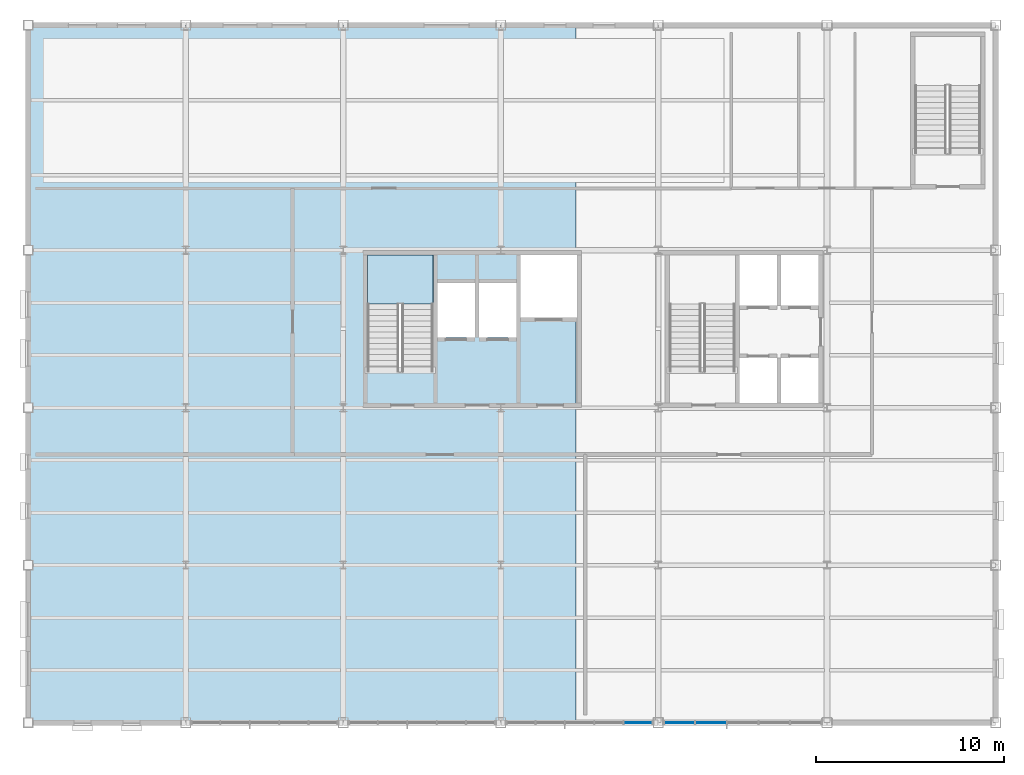
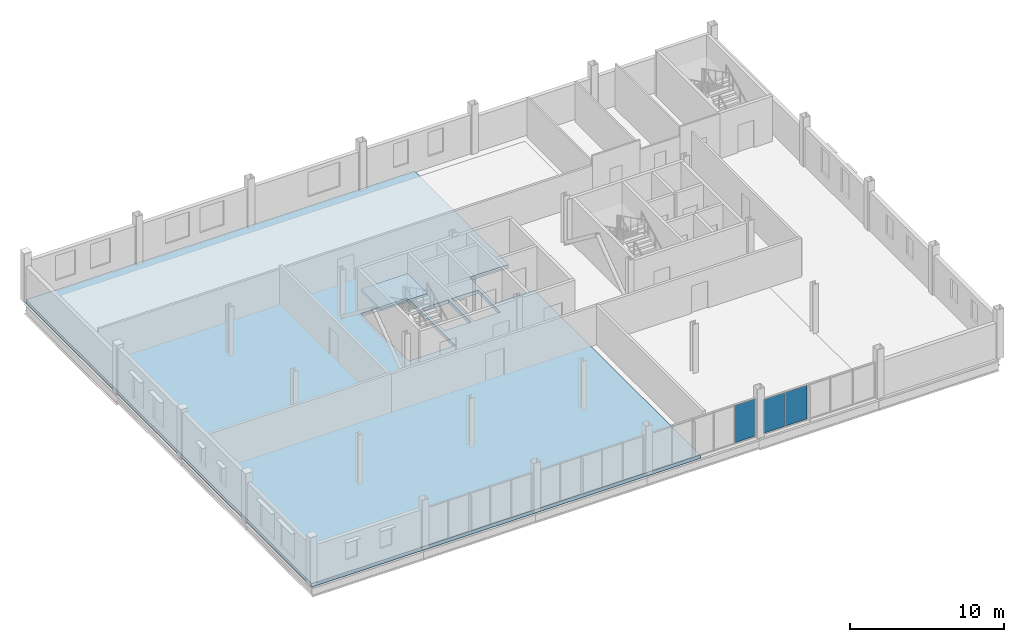
# One storey, part 10 of 17: 3 plates, 2 slabs, 3 elements without a shape of their own.
"""IFC4 building model written with IfcOpenShell, lengths in metres."""

from ifc_helpers import new_model, si_unit, direction, frame, origin, origin_2d, place, context, subcontext, project, spatial, polyline, rectangle, outline, extrude, material, layer, layer_set, type_object, element, aggregate, save


model = new_model("IFC4")

# Units and contexts
model_context = context("Model", 3, precision=1e-05, world=origin(), true_north=direction((0.0, 1.0)))
body_context = subcontext(model_context, "Body", "Model", "MODEL_VIEW")
ifc_project = project(units=[si_unit("LENGTHUNIT", "METRE"), si_unit("AREAUNIT", "SQUARE_METRE"), si_unit("VOLUMEUNIT", "CUBIC_METRE"), si_unit("PLANEANGLEUNIT", "RADIAN"), si_unit("MASSUNIT", "GRAM", prefix="KILO")], contexts=[model_context])

# Site, building, storey
site_placement = place(None, origin())
site = spatial("IfcSite", under=ifc_project, at=site_placement, CompositionType="ELEMENT")
building_placement = place(site_placement, origin())
building = spatial("IfcBuilding", under=site, at=building_placement, Name="Yukiwa Park Conservatory and Herbarium", CompositionType="ELEMENT")
storey_placement = place(building_placement, frame((0.0, 0.0, 17.10009765625)))
storey = spatial("IfcBuildingStorey", under=building, at=storey_placement, Name="L04", CompositionType="ELEMENT", Elevation=17.10009765625)

# Curtain wall, plate
ifc_material_1 = material(Name="Triple Low-E Insulated Glass", Category="glass")
ifc_layer_1 = layer(ifc_material_1, 0.199951171875)
ifc_layer_set_1 = layer_set([ifc_layer_1], Name="Triple Low-E Insulated Glass")
curtain_wall_type = type_object("IfcCurtainWallType", Name="CW-VISITOR-1600", PredefinedType="NOTDEFINED", material=ifc_layer_set_1)
curtain_wall_1_placement = place(storey_placement, origin())
curtain_wall_1 = element("IfcCurtainWall", 1, at=curtain_wall_1_placement, inside=storey, type_object=curtain_wall_type, Name="L04 unitised curtain wall CW-L04-074", PredefinedType="NOTDEFINED")
ifc_material_2 = material(Name="Triple Low-E Insulated Glass", Category="glass")
ifc_layer_2 = layer(ifc_material_2, 0.035888671875)
ifc_layer_set_2 = layer_set([ifc_layer_2], Name="Triple Low-E Insulated Glass")
plate_type = type_object("IfcPlateType", Name="PL-CW-GLZ-36", PredefinedType="CURTAIN_PANEL", material=ifc_layer_set_2)
plate_1_placement = place(storey_placement, frame((148.93994140625, 78.0, 0.06982421875), z_axis=(0.0, 0.0, 1.0), x_axis=(1.0, 0.0, 0.0)))
plate_1 = element("IfcPlate", 2, at=plate_1_placement, type_object=plate_type, Name="CW-L04-074 vision panel 5.1", PredefinedType="CURTAIN_PANEL", context=body_context, shape_type="SweptSolid", body=[
    extrude(rectangle(XDim=1.5, YDim=0.035888671875, at=origin_2d()), origin(), (0.0, 0.0, 1.0), 2.9599609375),
])
aggregate(curtain_wall_1, [plate_1])

# Curtain wall, plates
curtain_wall_2_placement = place(storey_placement, origin())
curtain_wall_2 = element("IfcCurtainWall", 3, at=curtain_wall_2_placement, inside=storey, type_object=curtain_wall_type, Name="L04 unitised curtain wall CW-L04-075", PredefinedType="NOTDEFINED")
plate_2_placement = place(storey_placement, frame((151.1201171875, 78.0, 0.06982421875), z_axis=(0.0, 0.0, 1.0), x_axis=(1.0, 0.0, 0.0)))
plate_2 = element("IfcPlate", 4, at=plate_2_placement, type_object=plate_type, Name="CW-L04-075 vision panel 1.1", PredefinedType="CURTAIN_PANEL", context=body_context, shape_type="SweptSolid", body=[
    extrude(rectangle(XDim=1.6201171875, YDim=0.035888671875, at=origin_2d()), origin(), (0.0, 0.0, 1.0), 2.66796875),
])
plate_3_placement = place(storey_placement, frame((152.81005859375, 78.0, 0.06982421875), z_axis=(0.0, 0.0, 1.0), x_axis=(1.0, 0.0, 0.0)))
plate_3 = element("IfcPlate", 5, at=plate_3_placement, type_object=plate_type, Name="CW-L04-075 vision panel 2.1", PredefinedType="CURTAIN_PANEL", context=body_context, shape_type="SweptSolid", body=[
    extrude(rectangle(XDim=1.6201171875, YDim=0.035888671875, at=origin_2d()), origin(), (0.0, 0.0, 1.0), 2.66796875),
])
aggregate(curtain_wall_2, [plate_2, plate_3])

# Slab
ifc_material_3 = material(Name="Concrete C40", Category="concrete")
ifc_layer_3 = layer(ifc_material_3, 0.280029296875)
ifc_layer_set_3 = layer_set([ifc_layer_3], Name="Concrete C40")
slab_type_1 = type_object("IfcSlabType", Name="SL-FLR-280", PredefinedType="FLOOR", material=ifc_layer_set_3)
slab_1_placement = place(storey_placement, frame((0.0, 0.0, -0.280029296875)))
element("IfcSlab", 6, at=slab_1_placement, inside=storey, type_object=slab_type_1, Name="L04 composite structural floor slab V5W", PredefinedType="FLOOR", context=body_context, shape_type="SweptSolid", body=[
    extrude(outline(polyline([(116.39990234375, 115.199951171875), (145.60009765625, 115.199951171875), (145.60009765625, 102.949951171875), (142.659912109375, 102.949951171875), (142.659912109375, 99.60009765625), (145.60009765625, 99.60009765625), (145.60009765625, 78.0), (116.39990234375, 78.0), (116.39990234375, 115.199951171875)]), holes=[polyline([(134.489990234375, 102.949951171875), (134.489990234375, 96.72998046875), (138.0, 96.72998046875), (138.0, 102.949951171875), (134.489990234375, 102.949951171875)]), polyline([(140.219970703125, 101.43994140625), (138.219970703125, 101.43994140625), (138.219970703125, 98.5400390625), (140.219970703125, 98.5400390625), (140.219970703125, 101.43994140625)]), polyline([(140.43994140625, 101.43994140625), (140.43994140625, 98.5400390625), (142.43994140625, 98.5400390625), (142.43994140625, 101.43994140625), (140.43994140625, 101.43994140625)])]), origin(), (0.0, 0.0, 1.0), 0.280029296875),
])

# Stair, slab
ifc_material_4 = material(Name="Concrete C40", Category="concrete")
stair_type = type_object("IfcStairType", Name="ST-DOGLEG-ST-T1", PredefinedType="HALF_TURN_STAIR", material=ifc_material_4)
stair_placement = place(storey_placement, origin())
stair = element("IfcStair", 7, at=stair_placement, inside=storey, type_object=stair_type, Name="L04 Protected Smoke-Proof Stair ST-T1", PredefinedType="HALF_TURN_STAIR")
ifc_material_5 = material(Name="Concrete C40", Category="concrete")
ifc_layer_4 = layer(ifc_material_5, 0.199951171875)
ifc_layer_set_4 = layer_set([ifc_layer_4], Name="Concrete C40")
slab_type_2 = type_object("IfcSlabType", Name="SL-LANDING-220", PredefinedType="LANDING", material=ifc_layer_set_4)
slab_2_placement = place(storey_placement, frame((0.0, 0.0, 1.75)))
slab_2 = element("IfcSlab", 8, at=slab_2_placement, type_object=slab_type_2, Name="ST-T1 landing 1", PredefinedType="LANDING", context=body_context, shape_type="SweptSolid", body=[
    extrude(outline(polyline([(138.0, 100.330078125), (138.0, 102.949951171875), (134.489990234375, 102.949951171875), (134.489990234375, 100.330078125), (138.0, 100.330078125)])), origin(), (0.0, 0.0, 1.0), 0.199951171875),
])
aggregate(stair, [slab_2])

save(model, "model.ifc")
